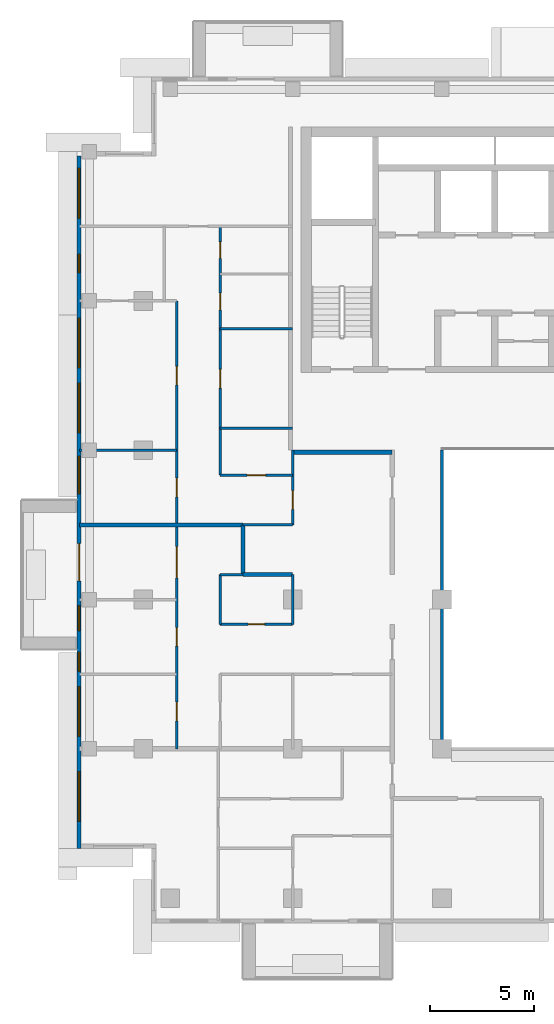
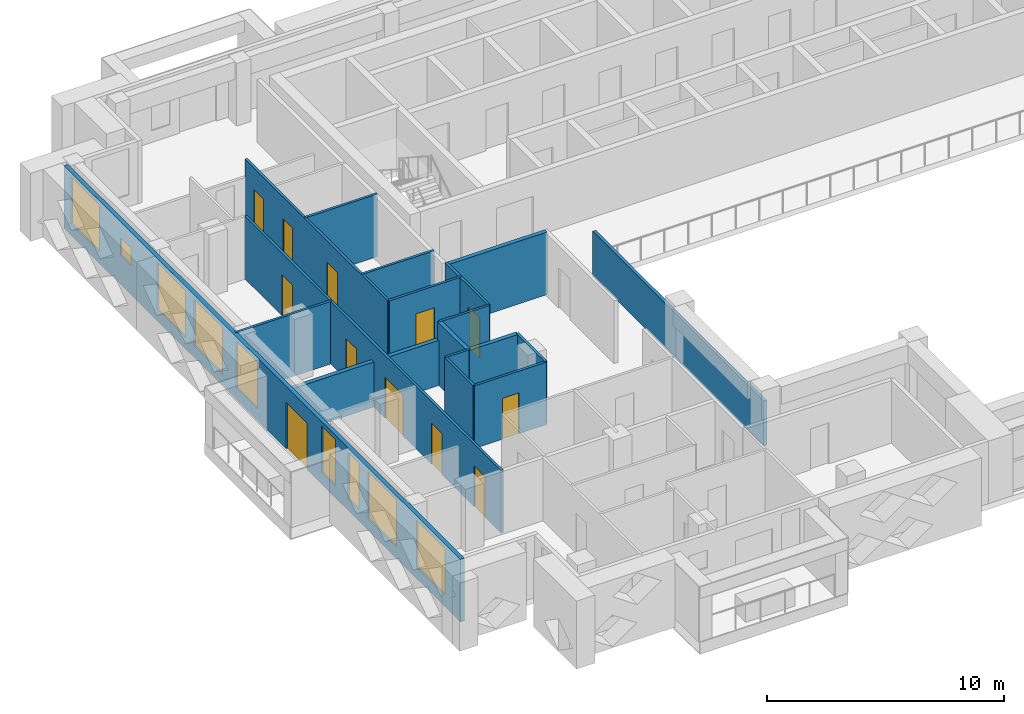
# One storey, part 7 of 19: 18 walls, 12 doors, 9 windows, 21 openings.
"""IFC4 building model written with IfcOpenShell, lengths in metres."""

from ifc_helpers import new_model, si_unit, direction, frame, frame_2d, origin, place, context, subcontext, project, spatial, rectangle, extrude, material, layer, layer_set, type_object, element, fill, save


model = new_model("IFC4")

# Units and contexts
model_context = context("Model", 3, precision=1e-05, world=origin(), true_north=direction((0.0, 1.0)))
body_context = subcontext(model_context, "Body", "Model", "MODEL_VIEW")
ifc_project = project(units=[si_unit("LENGTHUNIT", "METRE"), si_unit("AREAUNIT", "SQUARE_METRE"), si_unit("VOLUMEUNIT", "CUBIC_METRE"), si_unit("PLANEANGLEUNIT", "RADIAN"), si_unit("MASSUNIT", "GRAM", prefix="KILO")], contexts=[model_context])

# Site, building, storey
site_placement = place(None, origin())
site = spatial("IfcSite", under=ifc_project, at=site_placement, CompositionType="ELEMENT")
building_placement = place(site_placement, origin())
building = spatial("IfcBuilding", under=site, at=building_placement, Name="Saffron Iwan Residences", CompositionType="ELEMENT")
storey_placement = place(building_placement, frame((0.0, 0.0, 218.5)))
storey = spatial("IfcBuildingStorey", under=building, at=storey_placement, Name="L58", CompositionType="ELEMENT", Elevation=218.5)

# Wall
ifc_material_1 = material(Name="Fire-rated glazing", Category="glass")
ifc_layer_1 = layer(ifc_material_1, 0.14990234375)
ifc_layer_set_1 = layer_set([ifc_layer_1], Name="Fire-rated glazing")
wall_type_1 = type_object("IfcWallType", Name="Atrium glazed screen 150", PredefinedType="SOLIDWALL", material=ifc_layer_set_1)
wall_1_placement = place(storey_placement, frame((36.0, 48.0, 0.0), z_axis=(0.0, 0.0, 1.0), x_axis=(0.0, 1.0, 0.0)))
element("IfcWall", 1, at=wall_1_placement, inside=storey, type_object=wall_type_1, Name="W-L58-SCREEN-v36-48", PredefinedType="SOLIDWALL", context=body_context, shape_type="SweptSolid", body=[
    extrude(rectangle(XDim=14.39990234375, YDim=0.14990234375, at=frame_2d((7.199951171875, 0.0))), origin(), (0.0, 0.0, 1.0), 2.320068359375),
])

# Wall, openings, door, windows
ifc_material_2 = material(Name="Concrete C40/50", Category="concrete")
ifc_layer_2 = layer(ifc_material_2, 0.199951171875)
ifc_layer_set_2 = layer_set([ifc_layer_2], Name="Concrete C40/50")
wall_type_2 = type_object("IfcWallType", Name="EXTERNAL WALL 200", PredefinedType="SOLIDWALL", material=ifc_layer_set_2)
wall_2_placement = place(storey_placement, frame((18.5, 76.60009765625, 0.0), z_axis=(0.0, 0.0, 1.0), x_axis=(0.0, -1.0, 0.0)))
wall_2 = element("IfcWall", 2, at=wall_2_placement, inside=storey, type_object=wall_type_2, Name="External wall L58 F8.0", PredefinedType="SOLIDWALL", context=body_context, shape_type="SweptSolid", body=[
    extrude(rectangle(XDim=33.400146484375, YDim=0.199951171875, at=frame_2d((16.7001953125, 0.0))), origin(), (0.0, 0.0, 1.0), 3.219970703125),
])
opening_1_placement = place(wall_2_placement, frame((18.699951171875, 0.0, 0.0)))
opening_1 = element("IfcOpeningElement", 3, at=opening_1_placement, cuts=wall_2, Name="Opening BD1", PredefinedType="OPENING", context=body_context, shape_type="SweptSolid", body=[
    extrude(rectangle(XDim=1.800048828125, YDim=2.39990234375, at=frame_2d((0.89990234375, 1.199951171875))), frame((0.0, 0.10986328125, 0.0), z_axis=(0.0, -1.0, 0.0), x_axis=(1.0, 0.0, 0.0)), (0.0, 0.0, 1.0), 0.219970703125),
])
opening_2_placement = place(wall_2_placement, frame((29.699951171875, 0.0, 0.60009765625)))
opening_2 = element("IfcOpeningElement", 4, at=opening_2_placement, cuts=wall_2, Name="Opening W1", PredefinedType="OPENING", context=body_context, shape_type="SweptSolid", body=[
    extrude(rectangle(XDim=2.39990234375, YDim=2.39990234375, at=frame_2d((1.199951171875, 1.199951171875))), frame((0.0, 0.10986328125, 0.0), z_axis=(0.0, -1.0, 0.0), x_axis=(1.0, 0.0, 0.0)), (0.0, 0.0, 1.0), 0.219970703125),
])
opening_3_placement = place(wall_2_placement, frame((25.60009765625, 0.0, 0.60009765625)))
opening_3 = element("IfcOpeningElement", 5, at=opening_3_placement, cuts=wall_2, Name="Opening W1", PredefinedType="OPENING", context=body_context, shape_type="SweptSolid", body=[
    extrude(rectangle(XDim=2.39990234375, YDim=2.39990234375, at=frame_2d((1.199951171875, 1.199951171875))), frame((0.0, 0.10986328125, 0.0), z_axis=(0.0, -1.0, 0.0), x_axis=(1.0, 0.0, 0.0)), (0.0, 0.0, 1.0), 0.219970703125),
])
opening_4_placement = place(wall_2_placement, frame((21.699951171875, 0.0, 0.60009765625)))
opening_4 = element("IfcOpeningElement", 6, at=opening_4_placement, cuts=wall_2, Name="Opening W3", PredefinedType="OPENING", context=body_context, shape_type="SweptSolid", body=[
    extrude(rectangle(XDim=1.199951171875, YDim=2.39990234375, at=frame_2d((0.60009765625, 1.199951171875))), frame((0.0, 0.10986328125, 0.0), z_axis=(0.0, -1.0, 0.0), x_axis=(1.0, 0.0, 0.0)), (0.0, 0.0, 1.0), 0.219970703125),
])
opening_5_placement = place(wall_2_placement, frame((23.949951171875, 0.0, 0.60009765625)))
opening_5 = element("IfcOpeningElement", 7, at=opening_5_placement, cuts=wall_2, Name="Opening W10", PredefinedType="OPENING", context=body_context, shape_type="SweptSolid", body=[
    extrude(rectangle(XDim=0.89990234375, YDim=2.39990234375, at=frame_2d((0.449951171875, 1.199951171875))), frame((0.0, 0.10986328125, 0.0), z_axis=(0.0, -1.0, 0.0), x_axis=(1.0, 0.0, 0.0)), (0.0, 0.0, 1.0), 0.219970703125),
])
opening_6_placement = place(wall_2_placement, frame((14.5, 0.0, 0.60009765625)))
opening_6 = element("IfcOpeningElement", 8, at=opening_6_placement, cuts=wall_2, Name="Opening W8", PredefinedType="OPENING", context=body_context, shape_type="SweptSolid", body=[
    extrude(rectangle(XDim=1.800048828125, YDim=2.39990234375, at=frame_2d((0.89990234375, 1.199951171875))), frame((0.0, 0.10986328125, 0.0), z_axis=(0.0, -1.0, 0.0), x_axis=(1.0, 0.0, 0.0)), (0.0, 0.0, 1.0), 0.219970703125),
])
opening_7_placement = place(wall_2_placement, frame((7.833251953125, 0.0, 0.60009765625)))
opening_7 = element("IfcOpeningElement", 9, at=opening_7_placement, cuts=wall_2, Name="Opening W1", PredefinedType="OPENING", context=body_context, shape_type="SweptSolid", body=[
    extrude(rectangle(XDim=2.39990234375, YDim=2.39990234375, at=frame_2d((1.199951171875, 1.199951171875))), frame((0.0, 0.10986328125, 0.0), z_axis=(0.0, -1.0, 0.0), x_axis=(1.0, 0.0, 0.0)), (0.0, 0.0, 1.0), 0.219970703125),
])
opening_8_placement = place(wall_2_placement, frame((10.966796875, 0.0, 0.60009765625)))
opening_8 = element("IfcOpeningElement", 10, at=opening_8_placement, cuts=wall_2, Name="Opening W1", PredefinedType="OPENING", context=body_context, shape_type="SweptSolid", body=[
    extrude(rectangle(XDim=2.39990234375, YDim=2.39990234375, at=frame_2d((1.199951171875, 1.199951171875))), frame((0.0, 0.10986328125, 0.0), z_axis=(0.0, -1.0, 0.0), x_axis=(1.0, 0.0, 0.0)), (0.0, 0.0, 1.0), 0.219970703125),
])
opening_9_placement = place(wall_2_placement, frame((4.75, 0.0, 1.5)))
opening_9 = element("IfcOpeningElement", 11, at=opening_9_placement, cuts=wall_2, Name="Opening W6", PredefinedType="OPENING", context=body_context, shape_type="SweptSolid", body=[
    extrude(rectangle(XDim=0.89990234375, YDim=0.89990234375, at=frame_2d((0.449951171875, 0.449951171875))), frame((0.0, 0.10986328125, 0.0), z_axis=(0.0, -1.0, 0.0), x_axis=(1.0, 0.0, 0.0)), (0.0, 0.0, 1.0), 0.219970703125),
])
opening_10_placement = place(wall_2_placement, frame((0.60009765625, 0.0, 0.60009765625)))
opening_10 = element("IfcOpeningElement", 12, at=opening_10_placement, cuts=wall_2, Name="Opening W1", PredefinedType="OPENING", context=body_context, shape_type="SweptSolid", body=[
    extrude(rectangle(XDim=2.39990234375, YDim=2.39990234375, at=frame_2d((1.199951171875, 1.199951171875))), frame((0.0, 0.10986328125, 0.0), z_axis=(0.0, -1.0, 0.0), x_axis=(1.0, 0.0, 0.0)), (0.0, 0.0, 1.0), 0.219970703125),
])
ifc_material_3 = material(Name="Clear glass, laminated double glazed", Category="glass")
door_type_1 = type_object("IfcDoorType", Name="BALCONY DOOR 1800 x 2400", OperationType="DOUBLE_DOOR_SLIDING", PredefinedType="DOOR", material=ifc_material_3)
door_1_placement = place(opening_1_placement, origin())
door_1 = element("IfcDoor", 13, at=door_1_placement, inside=storey, type_object=door_type_1, Name="Balcony door L58 F8.0", OperationType="DOUBLE_DOOR_SLIDING", OverallHeight=2.39990234375, OverallWidth=1.800048828125, PredefinedType="DOOR", context=body_context, shape_type="SweptSolid", body=[
    extrude(rectangle(XDim=1.800048828125, YDim=2.39990234375, at=frame_2d((0.89990234375, 1.199951171875))), frame((0.0, 0.02490234375, 0.0), z_axis=(0.0, -1.0, 0.0), x_axis=(1.0, 0.0, 0.0)), (0.0, 0.0, 1.0), 0.050048828125),
])
fill(opening_1, door_1)
window_type_1 = type_object("IfcWindowType", Name="WINDOW 1200 x 2400", PartitioningType="SINGLE_PANEL", PredefinedType="WINDOW", material=ifc_material_3)
window_1_placement = place(opening_4_placement, origin())
window_1 = element("IfcWindow", 14, at=window_1_placement, inside=storey, type_object=window_type_1, Name="Window L58 F8.3", OverallHeight=2.39990234375, OverallWidth=1.199951171875, PartitioningType="SINGLE_PANEL", PredefinedType="WINDOW", context=body_context, shape_type="SweptSolid", body=[
    extrude(rectangle(XDim=1.199951171875, YDim=2.39990234375, at=frame_2d((0.60009765625, 1.199951171875))), frame((0.0, 0.030029296875, 0.0), z_axis=(0.0, -1.0, 0.0), x_axis=(1.0, 0.0, 0.0)), (0.0, 0.0, 1.0), 0.06005859375),
])
fill(opening_4, window_1)
window_type_2 = type_object("IfcWindowType", Name="WINDOW 1800 x 2400", PartitioningType="DOUBLE_PANEL_VERTICAL", PredefinedType="WINDOW", material=ifc_material_3)
window_2_placement = place(opening_6_placement, origin())
window_2 = element("IfcWindow", 15, at=window_2_placement, inside=storey, type_object=window_type_2, Name="Window L58 F8.5", OverallHeight=2.39990234375, OverallWidth=1.800048828125, PartitioningType="DOUBLE_PANEL_VERTICAL", PredefinedType="WINDOW", context=body_context, shape_type="SweptSolid", body=[
    extrude(rectangle(XDim=1.800048828125, YDim=2.39990234375, at=frame_2d((0.89990234375, 1.199951171875))), frame((0.0, 0.030029296875, 0.0), z_axis=(0.0, -1.0, 0.0), x_axis=(1.0, 0.0, 0.0)), (0.0, 0.0, 1.0), 0.06005859375),
])
fill(opening_6, window_2)
window_type_3 = type_object("IfcWindowType", Name="WINDOW 2400 x 2400", PartitioningType="DOUBLE_PANEL_VERTICAL", PredefinedType="WINDOW", material=ifc_material_3)
window_3_placement = place(opening_2_placement, origin())
window_3 = element("IfcWindow", 16, at=window_3_placement, inside=storey, type_object=window_type_3, Name="Window L58 F8.1", OverallHeight=2.39990234375, OverallWidth=2.39990234375, PartitioningType="DOUBLE_PANEL_VERTICAL", PredefinedType="WINDOW", context=body_context, shape_type="SweptSolid", body=[
    extrude(rectangle(XDim=2.39990234375, YDim=2.39990234375, at=frame_2d((1.199951171875, 1.199951171875))), frame((0.0, 0.030029296875, 0.0), z_axis=(0.0, -1.0, 0.0), x_axis=(1.0, 0.0, 0.0)), (0.0, 0.0, 1.0), 0.06005859375),
])
fill(opening_2, window_3)
window_4_placement = place(opening_3_placement, origin())
window_4 = element("IfcWindow", 17, at=window_4_placement, inside=storey, type_object=window_type_3, Name="Window L58 F8.2", OverallHeight=2.39990234375, OverallWidth=2.39990234375, PartitioningType="DOUBLE_PANEL_VERTICAL", PredefinedType="WINDOW", context=body_context, shape_type="SweptSolid", body=[
    extrude(rectangle(XDim=2.39990234375, YDim=2.39990234375, at=frame_2d((1.199951171875, 1.199951171875))), frame((0.0, 0.030029296875, 0.0), z_axis=(0.0, -1.0, 0.0), x_axis=(1.0, 0.0, 0.0)), (0.0, 0.0, 1.0), 0.06005859375),
])
fill(opening_3, window_4)
window_5_placement = place(opening_7_placement, origin())
window_5 = element("IfcWindow", 18, at=window_5_placement, inside=storey, type_object=window_type_3, Name="Window L58 F8.6", OverallHeight=2.39990234375, OverallWidth=2.39990234375, PartitioningType="DOUBLE_PANEL_VERTICAL", PredefinedType="WINDOW", context=body_context, shape_type="SweptSolid", body=[
    extrude(rectangle(XDim=2.39990234375, YDim=2.39990234375, at=frame_2d((1.199951171875, 1.199951171875))), frame((0.0, 0.030029296875, 0.0), z_axis=(0.0, -1.0, 0.0), x_axis=(1.0, 0.0, 0.0)), (0.0, 0.0, 1.0), 0.06005859375),
])
fill(opening_7, window_5)
window_6_placement = place(opening_8_placement, origin())
window_6 = element("IfcWindow", 19, at=window_6_placement, inside=storey, type_object=window_type_3, Name="Window L58 F8.7", OverallHeight=2.39990234375, OverallWidth=2.39990234375, PartitioningType="DOUBLE_PANEL_VERTICAL", PredefinedType="WINDOW", context=body_context, shape_type="SweptSolid", body=[
    extrude(rectangle(XDim=2.39990234375, YDim=2.39990234375, at=frame_2d((1.199951171875, 1.199951171875))), frame((0.0, 0.030029296875, 0.0), z_axis=(0.0, -1.0, 0.0), x_axis=(1.0, 0.0, 0.0)), (0.0, 0.0, 1.0), 0.06005859375),
])
fill(opening_8, window_6)
window_7_placement = place(opening_10_placement, origin())
window_7 = element("IfcWindow", 20, at=window_7_placement, inside=storey, type_object=window_type_3, Name="Window L58 F8.9", OverallHeight=2.39990234375, OverallWidth=2.39990234375, PartitioningType="DOUBLE_PANEL_VERTICAL", PredefinedType="WINDOW", context=body_context, shape_type="SweptSolid", body=[
    extrude(rectangle(XDim=2.39990234375, YDim=2.39990234375, at=frame_2d((1.199951171875, 1.199951171875))), frame((0.0, 0.030029296875, 0.0), z_axis=(0.0, -1.0, 0.0), x_axis=(1.0, 0.0, 0.0)), (0.0, 0.0, 1.0), 0.06005859375),
])
fill(opening_10, window_7)
window_type_4 = type_object("IfcWindowType", Name="WINDOW 900 x 2400", PartitioningType="SINGLE_PANEL", PredefinedType="WINDOW", material=ifc_material_3)
window_8_placement = place(opening_5_placement, origin())
window_8 = element("IfcWindow", 21, at=window_8_placement, inside=storey, type_object=window_type_4, Name="Window L58 F8.4", OverallHeight=2.39990234375, OverallWidth=0.89990234375, PartitioningType="SINGLE_PANEL", PredefinedType="WINDOW", context=body_context, shape_type="SweptSolid", body=[
    extrude(rectangle(XDim=0.89990234375, YDim=2.39990234375, at=frame_2d((0.449951171875, 1.199951171875))), frame((0.0, 0.030029296875, 0.0), z_axis=(0.0, -1.0, 0.0), x_axis=(1.0, 0.0, 0.0)), (0.0, 0.0, 1.0), 0.06005859375),
])
fill(opening_5, window_8)
window_type_5 = type_object("IfcWindowType", Name="WINDOW 900 x 900 BATH", PartitioningType="SINGLE_PANEL", PredefinedType="WINDOW", material=ifc_material_3)
window_9_placement = place(opening_9_placement, origin())
window_9 = element("IfcWindow", 22, at=window_9_placement, inside=storey, type_object=window_type_5, Name="Window L58 F8.8", OverallHeight=0.89990234375, OverallWidth=0.89990234375, PartitioningType="SINGLE_PANEL", PredefinedType="WINDOW", context=body_context, shape_type="SweptSolid", body=[
    extrude(rectangle(XDim=0.89990234375, YDim=0.89990234375, at=frame_2d((0.449951171875, 0.449951171875))), frame((0.0, 0.030029296875, 0.0), z_axis=(0.0, -1.0, 0.0), x_axis=(1.0, 0.0, 0.0)), (0.0, 0.0, 1.0), 0.06005859375),
])
fill(opening_9, window_9)

# Walls
ifc_material_4 = material(Name="Fire-rated gypsum board wall")
ifc_layer_3 = layer(ifc_material_4, 0.199951171875)
ifc_layer_set_3 = layer_set([ifc_layer_3], Name="Fire-rated gypsum board wall")
wall_type_3 = type_object("IfcWallType", Name="Flat demising wall 200", PredefinedType="SOLIDWALL", material=ifc_layer_set_3)
wall_3_placement = place(storey_placement, frame((26.39990234375, 56.39990234375, 0.0), z_axis=(0.0, 0.0, 1.0), x_axis=(1.0, 0.0, 0.0)))
element("IfcWall", 23, at=wall_3_placement, inside=storey, type_object=wall_type_3, Name="W-L58-DEMISE-h56.4-26.4", PredefinedType="SOLIDWALL", context=body_context, shape_type="SweptSolid", body=[
    extrude(rectangle(XDim=2.400146484375, YDim=0.199951171875, at=frame_2d((1.2001953125, 0.0))), origin(), (0.0, 0.0, 1.0), 3.219970703125),
])
wall_4_placement = place(storey_placement, frame((18.52490234375, 58.800048828125, 0.0), z_axis=(0.0, 0.0, 1.0), x_axis=(1.0, 0.0, 0.0)))
element("IfcWall", 24, at=wall_4_placement, inside=storey, type_object=wall_type_3, Name="W-L58-DEMISE-h58.8-18.525", PredefinedType="SOLIDWALL", context=body_context, shape_type="SweptSolid", body=[
    extrude(rectangle(XDim=7.875, YDim=0.199951171875, at=frame_2d((3.9375, 0.0))), origin(), (0.0, 0.0, 1.0), 2.320068359375),
])
wall_5_placement = place(storey_placement, frame((26.39990234375, 56.39990234375, 0.0), z_axis=(0.0, 0.0, 1.0), x_axis=(0.0, 1.0, 0.0)))
element("IfcWall", 25, at=wall_5_placement, inside=storey, type_object=wall_type_3, Name="W-L58-DEMISE-v26.4-56.4", PredefinedType="SOLIDWALL", context=body_context, shape_type="SweptSolid", body=[
    extrude(rectangle(XDim=2.400146484375, YDim=0.199951171875, at=frame_2d((1.2001953125, 0.0))), origin(), (0.0, 0.0, 1.0), 3.219970703125),
])

# Wall, opening, door
ifc_material_5 = material(Name="Gypsum board partition")
ifc_layer_4 = layer(ifc_material_5, 0.1201171875)
ifc_layer_set_4 = layer_set([ifc_layer_4], Name="Gypsum board partition")
wall_type_4 = type_object("IfcWallType", Name="Flat partition 120", PredefinedType="PARTITIONING", material=ifc_layer_set_4)
wall_6_placement = place(storey_placement, frame((25.300048828125, 54.0, 0.0), z_axis=(0.0, 0.0, 1.0), x_axis=(1.0, 0.0, 0.0)))
wall_6 = element("IfcWall", 26, at=wall_6_placement, inside=storey, type_object=wall_type_4, Name="W-L58-PART-h54-25.3", PredefinedType="PARTITIONING", context=body_context, shape_type="SweptSolid", body=[
    extrude(rectangle(XDim=3.5, YDim=0.1201171875, at=frame_2d((1.75, 0.0))), origin(), (0.0, 0.0, 1.0), 3.219970703125),
])
opening_11_placement = place(wall_6_placement, frame((1.35009765625, 0.0, 0.0)))
opening_11 = element("IfcOpeningElement", 27, at=opening_11_placement, cuts=wall_6, Name="Opening FD3", PredefinedType="OPENING", context=body_context, shape_type="SweptSolid", body=[
    extrude(rectangle(XDim=0.800048828125, YDim=2.10009765625, at=frame_2d((0.39990234375, 1.050048828125))), frame((0.0, 0.070068359375, 0.0), z_axis=(0.0, -1.0, 0.0), x_axis=(1.0, 0.0, 0.0)), (0.0, 0.0, 1.0), 0.14013671875),
])
ifc_material_6 = material(Name="Timber door", Category="wood")
door_type_2 = type_object("IfcDoorType", Name="Bathroom door 800", OperationType="NOTDEFINED", PredefinedType="DOOR", material=ifc_material_6)
door_2_placement = place(opening_11_placement, origin())
door_2 = element("IfcDoor", 28, at=door_2_placement, inside=storey, type_object=door_type_2, Name="Door L58-012", OperationType="SINGLE_SWING_RIGHT", OverallHeight=2.10009765625, OverallWidth=0.800048828125, PredefinedType="DOOR", context=body_context, shape_type="SweptSolid", body=[
    extrude(rectangle(XDim=0.800048828125, YDim=2.10009765625, at=frame_2d((0.39990234375, 1.050048828125))), frame((0.0, 0.02490234375, 0.0), z_axis=(0.0, -1.0, 0.0), x_axis=(1.0, 0.0, 0.0)), (0.0, 0.0, 1.0), 0.050048828125),
])
fill(opening_11, door_2)

# Walls
wall_7_placement = place(storey_placement, frame((25.300048828125, 56.39990234375, 0.0), z_axis=(0.0, 0.0, 1.0), x_axis=(1.0, 0.0, 0.0)))
element("IfcWall", 29, at=wall_7_placement, inside=storey, type_object=wall_type_4, Name="W-L58-PART-h56.4-25.3", PredefinedType="PARTITIONING", context=body_context, shape_type="SweptSolid", body=[
    extrude(rectangle(XDim=1.099853515625, YDim=0.1201171875, at=frame_2d((0.5498046875, 0.0))), origin(), (0.0, 0.0, 1.0), 3.219970703125),
])
wall_8_placement = place(storey_placement, frame((26.39990234375, 58.800048828125, 0.0), z_axis=(0.0, 0.0, 1.0), x_axis=(1.0, 0.0, 0.0)))
element("IfcWall", 30, at=wall_8_placement, inside=storey, type_object=wall_type_4, Name="W-L58-PART-h58.8-26.4", PredefinedType="PARTITIONING", context=body_context, shape_type="SweptSolid", body=[
    extrude(rectangle(XDim=2.400146484375, YDim=0.1201171875, at=frame_2d((1.2001953125, 0.0))), origin(), (0.0, 0.0, 1.0), 3.219970703125),
])

# Wall, opening, door
wall_9_placement = place(storey_placement, frame((25.300048828125, 61.199951171875, 0.0), z_axis=(0.0, 0.0, 1.0), x_axis=(1.0, 0.0, 0.0)))
wall_9 = element("IfcWall", 31, at=wall_9_placement, inside=storey, type_object=wall_type_4, Name="W-L58-PART-h61.2-25.3", PredefinedType="PARTITIONING", context=body_context, shape_type="SweptSolid", body=[
    extrude(rectangle(XDim=3.5, YDim=0.1201171875, at=frame_2d((1.75, 0.0))), origin(), (0.0, 0.0, 1.0), 3.219970703125),
])
opening_12_placement = place(wall_9_placement, frame((1.300048828125, 0.0, 0.0)))
opening_12 = element("IfcOpeningElement", 32, at=opening_12_placement, cuts=wall_9, Name="Opening FD2", PredefinedType="OPENING", context=body_context, shape_type="SweptSolid", body=[
    extrude(rectangle(XDim=0.89990234375, YDim=2.10009765625, at=frame_2d((0.449951171875, 1.050048828125))), frame((0.0, 0.070068359375, 0.0), z_axis=(0.0, -1.0, 0.0), x_axis=(1.0, 0.0, 0.0)), (0.0, 0.0, 1.0), 0.14013671875),
])
door_type_3 = type_object("IfcDoorType", Name="Flat door 900", OperationType="NOTDEFINED", PredefinedType="DOOR", material=ifc_material_6)
door_3_placement = place(opening_12_placement, origin())
door_3 = element("IfcDoor", 33, at=door_3_placement, inside=storey, type_object=door_type_3, Name="Door L58-026", OperationType="SINGLE_SWING_LEFT", OverallHeight=2.10009765625, OverallWidth=0.89990234375, PredefinedType="DOOR", context=body_context, shape_type="SweptSolid", body=[
    extrude(rectangle(XDim=0.89990234375, YDim=2.10009765625, at=frame_2d((0.449951171875, 1.050048828125))), frame((0.0, 0.02490234375, 0.0), z_axis=(0.0, -1.0, 0.0), x_axis=(1.0, 0.0, 0.0)), (0.0, 0.0, 1.0), 0.050048828125),
])
fill(opening_12, door_3)

# Walls
wall_10_placement = place(storey_placement, frame((18.52490234375, 62.39990234375, 0.0), z_axis=(0.0, 0.0, 1.0), x_axis=(1.0, 0.0, 0.0)))
element("IfcWall", 34, at=wall_10_placement, inside=storey, type_object=wall_type_4, Name="W-L58-PART-h62.4-18.525", PredefinedType="PARTITIONING", context=body_context, shape_type="SweptSolid", body=[
    extrude(rectangle(XDim=4.675048828125, YDim=0.1201171875, at=frame_2d((2.33740234375, 0.0))), origin(), (0.0, 0.0, 1.0), 3.219970703125),
])
for number, where, z_axis, x_axis, name in (
    (35, (25.300048828125, 63.449951171875, 0.0), (0.0, 0.0, 1.0), (1.0, 0.0, 0.0), "W-L58-PART-h63.45-25.3"),
    (36, (25.300048828125, 68.25, 0.0), (0.0, 0.0, 1.0), (1.0, 0.0, 0.0), "W-L58-PART-h68.25-25.3"),
):
    element("IfcWall", number, at=place(storey_placement, frame(where, z_axis=z_axis, x_axis=x_axis)), inside=storey, type_object=wall_type_4, Name=name, PredefinedType="PARTITIONING", context=body_context, shape_type="SweptSolid", body=[
        extrude(rectangle(XDim=3.5, YDim=0.1201171875, at=frame_2d((1.75, 0.0))), origin(), (0.0, 0.0, 1.0), 3.219970703125),
    ])

# Wall, openings, doors
wall_11_placement = place(storey_placement, frame((23.199951171875, 48.0, 0.0), z_axis=(0.0, 0.0, 1.0), x_axis=(0.0, 1.0, 0.0)))
wall_11 = element("IfcWall", 37, at=wall_11_placement, inside=storey, type_object=wall_type_4, Name="W-L58-PART-v23.2-48", PredefinedType="PARTITIONING", context=body_context, shape_type="SweptSolid", body=[
    extrude(rectangle(XDim=21.60009765625, YDim=0.1201171875, at=frame_2d((10.800048828125, 0.0))), origin(), (0.0, 0.0, 1.0), 3.219970703125),
])
opening_13_placement = place(wall_11_placement, frame((1.35009765625, 0.0, 0.0)))
opening_13 = element("IfcOpeningElement", 38, at=opening_13_placement, cuts=wall_11, Name="Opening FD2", PredefinedType="OPENING", context=body_context, shape_type="SweptSolid", body=[
    extrude(rectangle(XDim=0.89990234375, YDim=2.10009765625, at=frame_2d((0.449951171875, 1.050048828125))), frame((0.0, 0.070068359375, 0.0), z_axis=(0.0, -1.0, 0.0), x_axis=(1.0, 0.0, 0.0)), (0.0, 0.0, 1.0), 0.14013671875),
])
opening_14_placement = place(wall_11_placement, frame((4.949951171875, 0.0, 0.0)))
opening_14 = element("IfcOpeningElement", 39, at=opening_14_placement, cuts=wall_11, Name="Opening FD2", PredefinedType="OPENING", context=body_context, shape_type="SweptSolid", body=[
    extrude(rectangle(XDim=0.89990234375, YDim=2.10009765625, at=frame_2d((0.449951171875, 1.050048828125))), frame((0.0, 0.070068359375, 0.0), z_axis=(0.0, -1.0, 0.0), x_axis=(1.0, 0.0, 0.0)), (0.0, 0.0, 1.0), 0.14013671875),
])
opening_15_placement = place(wall_11_placement, frame((8.25, 0.0, 0.0)))
opening_15 = element("IfcOpeningElement", 40, at=opening_15_placement, cuts=wall_11, Name="Opening FD4", PredefinedType="OPENING", context=body_context, shape_type="SweptSolid", body=[
    extrude(rectangle(XDim=1.5, YDim=2.10009765625, at=frame_2d((0.75, 1.050048828125))), frame((0.0, 0.070068359375, 0.0), z_axis=(0.0, -1.0, 0.0), x_axis=(1.0, 0.0, 0.0)), (0.0, 0.0, 1.0), 0.14013671875),
])
opening_16_placement = place(wall_11_placement, frame((12.14990234375, 0.0, 0.0)))
opening_16 = element("IfcOpeningElement", 41, at=opening_16_placement, cuts=wall_11, Name="Opening FD2", PredefinedType="OPENING", context=body_context, shape_type="SweptSolid", body=[
    extrude(rectangle(XDim=0.89990234375, YDim=2.10009765625, at=frame_2d((0.449951171875, 1.050048828125))), frame((0.0, 0.070068359375, 0.0), z_axis=(0.0, -1.0, 0.0), x_axis=(1.0, 0.0, 0.0)), (0.0, 0.0, 1.0), 0.14013671875),
])
opening_17_placement = place(wall_11_placement, frame((17.550048828125, 0.0, 0.0)))
opening_17 = element("IfcOpeningElement", 42, at=opening_17_placement, cuts=wall_11, Name="Opening FD2", PredefinedType="OPENING", context=body_context, shape_type="SweptSolid", body=[
    extrude(rectangle(XDim=0.89990234375, YDim=2.10009765625, at=frame_2d((0.449951171875, 1.050048828125))), frame((0.0, 0.070068359375, 0.0), z_axis=(0.0, -1.0, 0.0), x_axis=(1.0, 0.0, 0.0)), (0.0, 0.0, 1.0), 0.14013671875),
])
door_type_4 = type_object("IfcDoorType", Name="Double door 1500", OperationType="NOTDEFINED", PredefinedType="DOOR", material=ifc_material_6)
door_4_placement = place(opening_15_placement, origin())
door_4 = element("IfcDoor", 43, at=door_4_placement, inside=storey, type_object=door_type_4, Name="Door L58-010", OperationType="SINGLE_SWING_LEFT", OverallHeight=2.10009765625, OverallWidth=1.5, PredefinedType="DOOR", context=body_context, shape_type="SweptSolid", body=[
    extrude(rectangle(XDim=1.5, YDim=2.10009765625, at=frame_2d((0.75, 1.050048828125))), frame((0.0, 0.02490234375, 0.0), z_axis=(0.0, -1.0, 0.0), x_axis=(1.0, 0.0, 0.0)), (0.0, 0.0, 1.0), 0.050048828125),
])
fill(opening_15, door_4)
door_5_placement = place(opening_13_placement, origin())
door_5 = element("IfcDoor", 44, at=door_5_placement, inside=storey, type_object=door_type_3, Name="Door L58-008", OperationType="SINGLE_SWING_LEFT", OverallHeight=2.10009765625, OverallWidth=0.89990234375, PredefinedType="DOOR", context=body_context, shape_type="SweptSolid", body=[
    extrude(rectangle(XDim=0.89990234375, YDim=2.10009765625, at=frame_2d((0.449951171875, 1.050048828125))), frame((0.0, 0.02490234375, 0.0), z_axis=(0.0, -1.0, 0.0), x_axis=(1.0, 0.0, 0.0)), (0.0, 0.0, 1.0), 0.050048828125),
])
fill(opening_13, door_5)
door_6_placement = place(opening_14_placement, origin())
door_6 = element("IfcDoor", 45, at=door_6_placement, inside=storey, type_object=door_type_3, Name="Door L58-009", OperationType="SINGLE_SWING_RIGHT", OverallHeight=2.10009765625, OverallWidth=0.89990234375, PredefinedType="DOOR", context=body_context, shape_type="SweptSolid", body=[
    extrude(rectangle(XDim=0.89990234375, YDim=2.10009765625, at=frame_2d((0.449951171875, 1.050048828125))), frame((0.0, 0.02490234375, 0.0), z_axis=(0.0, -1.0, 0.0), x_axis=(1.0, 0.0, 0.0)), (0.0, 0.0, 1.0), 0.050048828125),
])
fill(opening_14, door_6)
door_7_placement = place(opening_16_placement, origin())
door_7 = element("IfcDoor", 46, at=door_7_placement, inside=storey, type_object=door_type_3, Name="Door L58-022", OperationType="SINGLE_SWING_LEFT", OverallHeight=2.10009765625, OverallWidth=0.89990234375, PredefinedType="DOOR", context=body_context, shape_type="SweptSolid", body=[
    extrude(rectangle(XDim=0.89990234375, YDim=2.10009765625, at=frame_2d((0.449951171875, 1.050048828125))), frame((0.0, 0.02490234375, 0.0), z_axis=(0.0, -1.0, 0.0), x_axis=(1.0, 0.0, 0.0)), (0.0, 0.0, 1.0), 0.050048828125),
])
fill(opening_16, door_7)
door_8_placement = place(opening_17_placement, origin())
door_8 = element("IfcDoor", 47, at=door_8_placement, inside=storey, type_object=door_type_3, Name="Door L58-023", OperationType="SINGLE_SWING_LEFT", OverallHeight=2.10009765625, OverallWidth=0.89990234375, PredefinedType="DOOR", context=body_context, shape_type="SweptSolid", body=[
    extrude(rectangle(XDim=0.89990234375, YDim=2.10009765625, at=frame_2d((0.449951171875, 1.050048828125))), frame((0.0, 0.02490234375, 0.0), z_axis=(0.0, -1.0, 0.0), x_axis=(1.0, 0.0, 0.0)), (0.0, 0.0, 1.0), 0.050048828125),
])
fill(opening_17, door_8)

# Wall
wall_12_placement = place(storey_placement, frame((25.300048828125, 54.0, 0.0), z_axis=(0.0, 0.0, 1.0), x_axis=(0.0, 1.0, 0.0)))
element("IfcWall", 48, at=wall_12_placement, inside=storey, type_object=wall_type_4, Name="W-L58-PART-v25.3-54", PredefinedType="PARTITIONING", context=body_context, shape_type="SweptSolid", body=[
    extrude(rectangle(XDim=2.39990234375, YDim=0.1201171875, at=frame_2d((1.199951171875, 0.0))), origin(), (0.0, 0.0, 1.0), 3.219970703125),
])

# Wall, openings, doors
wall_13_placement = place(storey_placement, frame((25.300048828125, 61.199951171875, 0.0), z_axis=(0.0, 0.0, 1.0), x_axis=(0.0, 1.0, 0.0)))
wall_13 = element("IfcWall", 49, at=wall_13_placement, inside=storey, type_object=wall_type_4, Name="W-L58-PART-v25.3-61.2", PredefinedType="PARTITIONING", context=body_context, shape_type="SweptSolid", body=[
    extrude(rectangle(XDim=12.0, YDim=0.1201171875, at=frame_2d((6.0, 0.0))), origin(), (0.0, 0.0, 1.0), 3.219970703125),
])
opening_18_placement = place(wall_13_placement, frame((4.199951171875, 0.0, 0.0)))
opening_18 = element("IfcOpeningElement", 50, at=opening_18_placement, cuts=wall_13, Name="Opening FD2", PredefinedType="OPENING", context=body_context, shape_type="SweptSolid", body=[
    extrude(rectangle(XDim=0.89990234375, YDim=2.10009765625, at=frame_2d((0.449951171875, 1.050048828125))), frame((0.0, 0.070068359375, 0.0), z_axis=(0.0, -1.0, 0.0), x_axis=(1.0, 0.0, 0.0)), (0.0, 0.0, 1.0), 0.14013671875),
])
opening_19_placement = place(wall_13_placement, frame((7.97509765625, 0.0, 0.0)))
opening_19 = element("IfcOpeningElement", 51, at=opening_19_placement, cuts=wall_13, Name="Opening FD3", PredefinedType="OPENING", context=body_context, shape_type="SweptSolid", body=[
    extrude(rectangle(XDim=0.800048828125, YDim=2.10009765625, at=frame_2d((0.39990234375, 1.050048828125))), frame((0.0, 0.070068359375, 0.0), z_axis=(0.0, -1.0, 0.0), x_axis=(1.0, 0.0, 0.0)), (0.0, 0.0, 1.0), 0.14013671875),
])
opening_20_placement = place(wall_13_placement, frame((10.449951171875, 0.0, 0.0)))
opening_20 = element("IfcOpeningElement", 52, at=opening_20_placement, cuts=wall_13, Name="Opening FD3", PredefinedType="OPENING", context=body_context, shape_type="SweptSolid", body=[
    extrude(rectangle(XDim=0.800048828125, YDim=2.10009765625, at=frame_2d((0.39990234375, 1.050048828125))), frame((0.0, 0.070068359375, 0.0), z_axis=(0.0, -1.0, 0.0), x_axis=(1.0, 0.0, 0.0)), (0.0, 0.0, 1.0), 0.14013671875),
])
door_9_placement = place(opening_19_placement, origin())
door_9 = element("IfcDoor", 53, at=door_9_placement, inside=storey, type_object=door_type_2, Name="Door L58-028", OperationType="SINGLE_SWING_LEFT", OverallHeight=2.10009765625, OverallWidth=0.800048828125, PredefinedType="DOOR", context=body_context, shape_type="SweptSolid", body=[
    extrude(rectangle(XDim=0.800048828125, YDim=2.10009765625, at=frame_2d((0.39990234375, 1.050048828125))), frame((0.0, 0.02490234375, 0.0), z_axis=(0.0, -1.0, 0.0), x_axis=(1.0, 0.0, 0.0)), (0.0, 0.0, 1.0), 0.050048828125),
])
fill(opening_19, door_9)
door_10_placement = place(opening_20_placement, origin())
door_10 = element("IfcDoor", 54, at=door_10_placement, inside=storey, type_object=door_type_2, Name="Door L58-029", OperationType="SINGLE_SWING_LEFT", OverallHeight=2.10009765625, OverallWidth=0.800048828125, PredefinedType="DOOR", context=body_context, shape_type="SweptSolid", body=[
    extrude(rectangle(XDim=0.800048828125, YDim=2.10009765625, at=frame_2d((0.39990234375, 1.050048828125))), frame((0.0, 0.02490234375, 0.0), z_axis=(0.0, -1.0, 0.0), x_axis=(1.0, 0.0, 0.0)), (0.0, 0.0, 1.0), 0.050048828125),
])
fill(opening_20, door_10)
door_11_placement = place(opening_18_placement, origin())
door_11 = element("IfcDoor", 55, at=door_11_placement, inside=storey, type_object=door_type_3, Name="Door L58-027", OperationType="SINGLE_SWING_RIGHT", OverallHeight=2.10009765625, OverallWidth=0.89990234375, PredefinedType="DOOR", context=body_context, shape_type="SweptSolid", body=[
    extrude(rectangle(XDim=0.89990234375, YDim=2.10009765625, at=frame_2d((0.449951171875, 1.050048828125))), frame((0.0, 0.02490234375, 0.0), z_axis=(0.0, -1.0, 0.0), x_axis=(1.0, 0.0, 0.0)), (0.0, 0.0, 1.0), 0.050048828125),
])
fill(opening_18, door_11)

# Wall
wall_14_placement = place(storey_placement, frame((28.800048828125, 54.0, 0.0), z_axis=(0.0, 0.0, 1.0), x_axis=(0.0, 1.0, 0.0)))
element("IfcWall", 56, at=wall_14_placement, inside=storey, type_object=wall_type_4, Name="W-L58-PART-v28.8-54", PredefinedType="PARTITIONING", context=body_context, shape_type="SweptSolid", body=[
    extrude(rectangle(XDim=2.39990234375, YDim=0.1201171875, at=frame_2d((1.199951171875, 0.0))), origin(), (0.0, 0.0, 1.0), 3.219970703125),
])

# Wall, opening, door
wall_15_placement = place(storey_placement, frame((28.800048828125, 58.800048828125, 0.0), z_axis=(0.0, 0.0, 1.0), x_axis=(0.0, 1.0, 0.0)))
wall_15 = element("IfcWall", 57, at=wall_15_placement, inside=storey, type_object=wall_type_4, Name="W-L58-PART-v28.8-58.8", PredefinedType="PARTITIONING", context=body_context, shape_type="SweptSolid", body=[
    extrude(rectangle(XDim=3.599853515625, YDim=0.1201171875, at=frame_2d((1.7998046875, 0.0))), origin(), (0.0, 0.0, 1.0), 3.219970703125),
])
opening_21_placement = place(wall_15_placement, frame((0.75, 0.0, 0.0)))
opening_21 = element("IfcOpeningElement", 58, at=opening_21_placement, cuts=wall_15, Name="Opening FD2", PredefinedType="OPENING", context=body_context, shape_type="SweptSolid", body=[
    extrude(rectangle(XDim=0.89990234375, YDim=2.10009765625, at=frame_2d((0.449951171875, 1.050048828125))), frame((0.0, 0.070068359375, 0.0), z_axis=(0.0, -1.0, 0.0), x_axis=(1.0, 0.0, 0.0)), (0.0, 0.0, 1.0), 0.14013671875),
])
door_12_placement = place(opening_21_placement, origin())
door_12 = element("IfcDoor", 59, at=door_12_placement, inside=storey, type_object=door_type_3, Name="Door L58-020", OperationType="SINGLE_SWING_LEFT", OverallHeight=2.10009765625, OverallWidth=0.89990234375, PredefinedType="DOOR", context=body_context, shape_type="SweptSolid", body=[
    extrude(rectangle(XDim=0.89990234375, YDim=2.10009765625, at=frame_2d((0.449951171875, 1.050048828125))), frame((0.0, 0.02490234375, 0.0), z_axis=(0.0, -1.0, 0.0), x_axis=(1.0, 0.0, 0.0)), (0.0, 0.0, 1.0), 0.050048828125),
])
fill(opening_21, door_12)

# Wall
ifc_layer_5 = layer(ifc_material_4, 0.199951171875)
ifc_layer_set_5 = layer_set([ifc_layer_5], Name="Fire-rated gypsum board wall")
wall_type_5 = type_object("IfcWallType", Name="Gallery wall 200", PredefinedType="SOLIDWALL", material=ifc_layer_set_5)
wall_16_placement = place(storey_placement, frame((28.800048828125, 62.300048828125, 0.0), z_axis=(0.0, 0.0, 1.0), x_axis=(1.0, 0.0, 0.0)))
element("IfcWall", 60, at=wall_16_placement, inside=storey, type_object=wall_type_5, Name="W-L58-CORR-h62.4-28.8", PredefinedType="SOLIDWALL", context=body_context, shape_type="SweptSolid", body=[
    extrude(rectangle(XDim=4.800048828125, YDim=0.199951171875, at=frame_2d((2.39990234375, 0.0))), origin(), (0.0, 0.0, 1.0), 3.219970703125),
])

save(model, "model.ifc")
